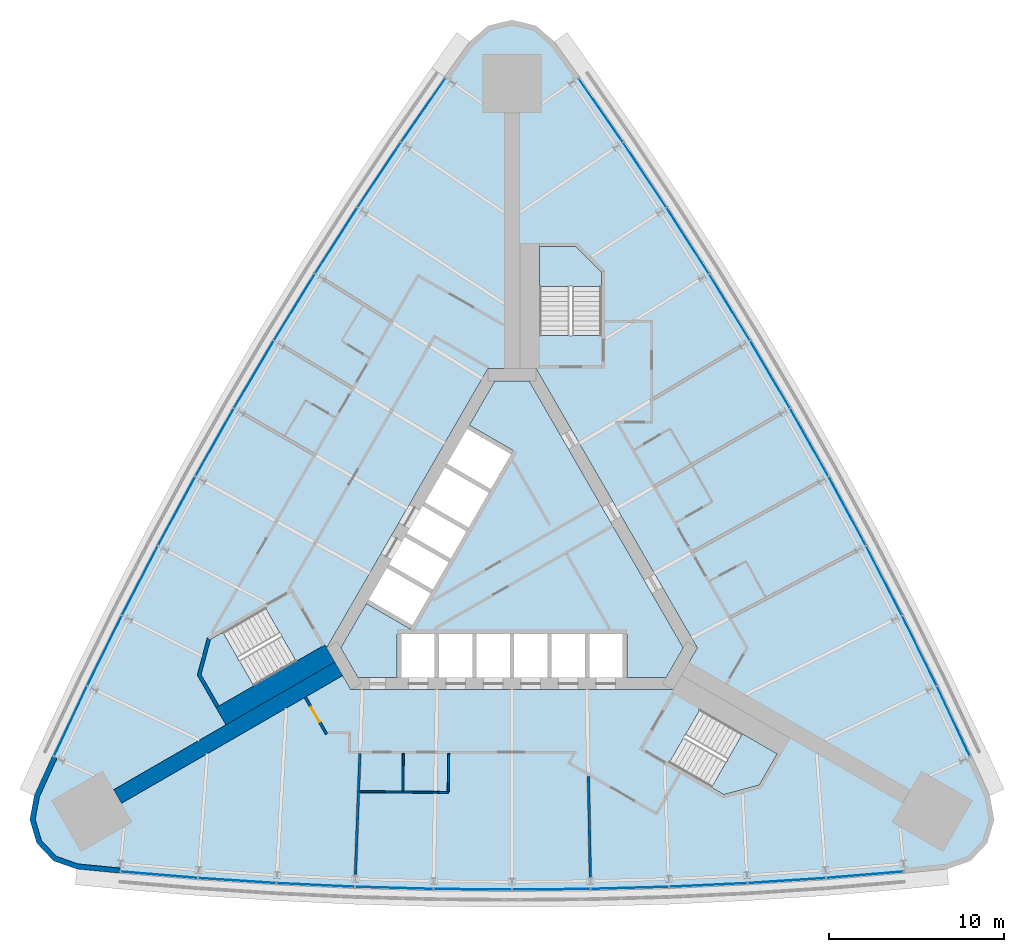
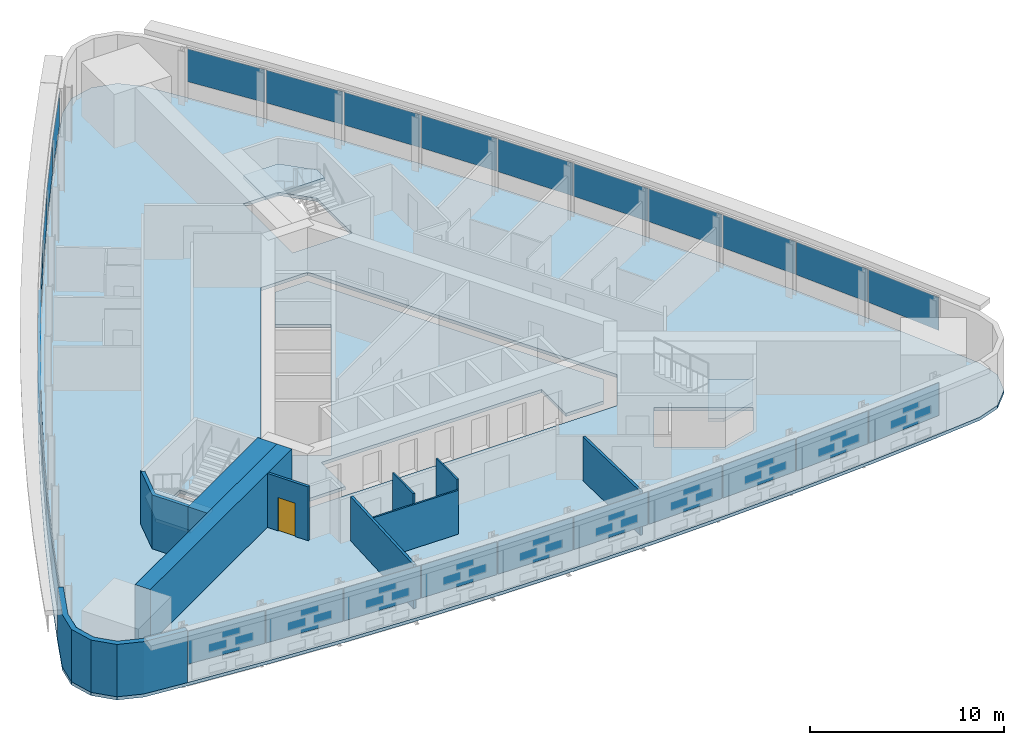
# One storey, part 9 of 15: 30 plates, 10 walls, 5 slabs, 1 door, 1 opening, 6 elements without a shape of their own.
"""IFC4 building model written with IfcOpenShell, lengths in metres."""

from ifc_helpers import new_model, si_unit, direction, frame, frame_2d, origin, origin_2d, place, context, subcontext, project, spatial, polyline, rectangle, outline, extrude, material, layer, layer_set, type_object, element, fill, aggregate, save


model = new_model("IFC4")

# Units and contexts
model_context = context("Model", 3, precision=1e-05, world=origin(), true_north=direction((0.0, 1.0)))
body_context = subcontext(model_context, "Body", "Model", "MODEL_VIEW")
ifc_project = project(units=[si_unit("LENGTHUNIT", "METRE"), si_unit("AREAUNIT", "SQUARE_METRE"), si_unit("VOLUMEUNIT", "CUBIC_METRE"), si_unit("PLANEANGLEUNIT", "RADIAN"), si_unit("MASSUNIT", "GRAM", prefix="KILO")], contexts=[model_context])

# Site, building, storey
site_placement = place(None, origin())
site = spatial("IfcSite", under=ifc_project, at=site_placement, CompositionType="ELEMENT")
building_placement = place(site_placement, origin())
building = spatial("IfcBuilding", under=site, at=building_placement, Name="Noor Cloister Tower", CompositionType="ELEMENT")
storey_placement = place(building_placement, frame((0.0, 0.0, 31.199951171875)))
storey = spatial("IfcBuildingStorey", under=building, at=storey_placement, Name="L07", CompositionType="ELEMENT", Elevation=31.199951171875)

# Slabs
ifc_material_1 = material(Name="Concrete C40/50", Category="concrete")
ifc_layer_1 = layer(ifc_material_1, 0.199951171875)
ifc_layer_set_1 = layer_set([ifc_layer_1], Name="Core floor slab 200 C40/50")
slab_type_1 = type_object("IfcSlabType", Name="Core floor slab 200 C40/50", PredefinedType="FLOOR", material=ifc_layer_set_1)
slab_1_placement = place(storey_placement, frame((0.0, 0.0, -0.199951171875)))
element("IfcSlab", 1, at=slab_1_placement, inside=storey, type_object=slab_type_1, Name="Core floor L07", PredefinedType="FLOOR", context=body_context, shape_type="SweptSolid", body=[
    extrude(outline(polyline([(-6.574951171875, -6.228271484375), (-6.574951171875, -3.728271484375), (6.574951171875, -3.728271484375), (6.574951171875, -6.228271484375), (8.82470703125, -6.228271484375), (9.80615234375, -4.5283203125), (0.9814453125, 10.75634765625), (-0.9814453125, 10.75634765625), (-2.44384765625, 8.2236328125), (0.067626953125, 6.773681640625), (-5.832275390625, -3.4453125), (-8.34375, -1.995361328125), (-9.80615234375, -4.5283203125), (-8.82470703125, -6.228271484375), (-6.574951171875, -6.228271484375)])), origin(), (0.0, 0.0, 1.0), 0.199951171875),
])
ifc_material_2 = material(Name="Concrete C40/50", Category="concrete")
ifc_layer_2 = layer(ifc_material_2, 0.199951171875)
ifc_layer_set_2 = layer_set([ifc_layer_2], Name="Floor slab 200 C40/50")
slab_type_2 = type_object("IfcSlabType", Name="Floor slab 200 C40/50", PredefinedType="FLOOR", material=ifc_layer_set_2)
slab_2_placement = place(storey_placement, frame((0.0, 0.0, -0.199951171875)))
element("IfcSlab", 2, at=slab_2_placement, inside=storey, type_object=slab_type_2, Name="Floor slab L07", PredefinedType="FLOOR", context=body_context, shape_type="SweptSolid", body=[
    extrude(outline(polyline([(2.43017578125, 30.188232421875), (1.3642578125, 31.100830078125), (0.0, 31.428955078125), (-1.3642578125, 31.100830078125), (-2.43017578125, 30.188232421875), (-3.869873046875, 28.177734375), (-6.43701171875, 24.48193359375), (-8.93505859375, 20.739013671875), (-11.36328125, 16.950439453125), (-13.720947265625, 13.11767578125), (-16.0068359375, 9.24169921875), (-18.220703125, 5.32373046875), (-20.361328125, 1.36572265625), (-22.42822265625, -2.631591796875), (-24.42041015625, -6.66650390625), (-26.337646484375, -10.737548828125), (-27.35888671875, -12.989501953125), (-27.6162109375, -14.368896484375), (-27.21826171875, -15.714599609375), (-26.251953125, -16.73193359375), (-24.9287109375, -17.19873046875), (-22.4677734375, -17.440185546875), (-17.9833984375, -17.8154296875), (-13.492919921875, -18.107421875), (-8.998046875, -18.316162109375), (-4.499755859375, -18.44140625), (0.0, -18.483154296875), (4.499755859375, -18.44140625), (8.998046875, -18.316162109375), (13.492919921875, -18.107421875), (17.9833984375, -17.8154296875), (22.4677734375, -17.440185546875), (24.9287109375, -17.19873046875), (26.251953125, -16.73193359375), (27.21826171875, -15.714599609375), (27.6162109375, -14.368896484375), (27.35888671875, -12.989501953125), (26.337646484375, -10.737548828125), (24.42041015625, -6.66650390625), (22.42822265625, -2.631591796875), (20.361328125, 1.36572265625), (18.220703125, 5.32373046875), (16.0068359375, 9.24169921875), (13.720947265625, 13.11767578125), (11.36328125, 16.950439453125), (8.93505859375, 20.739013671875), (6.43701171875, 24.48193359375), (3.869873046875, 28.177734375), (2.43017578125, 30.188232421875)]), holes=[polyline([(8.999755859375, -11.126220703125), (12.131591796875, -12.934326171875), (14.1572265625, -12.3916015625), (15.19091796875, -10.601318359375), (10.774658203125, -8.0517578125), (8.999755859375, -11.126220703125)]), polyline([(-17.81005859375, -6.064697265625), (-16.776611328125, -7.85498046875), (-12.3603515625, -5.305419921875), (-14.13525390625, -2.23095703125), (-16.662841796875, -3.690185546875), (-17.267333984375, -4.039306640625), (-17.81005859375, -6.064697265625)]), polyline([(-10.6142578125, -4.5283203125), (-9.228759765625, -6.92822265625), (9.228759765625, -6.92822265625), (10.6142578125, -4.5283203125), (1.3857421875, 11.456298828125), (-1.3857421875, 11.456298828125), (-10.6142578125, -4.5283203125)]), polyline([(3.65283203125, 18.456298828125), (1.585693359375, 18.456298828125), (1.585693359375, 13.35693359375), (5.135498046875, 13.35693359375), (5.135498046875, 16.9736328125), (3.65283203125, 18.456298828125)])]), origin(), (0.0, 0.0, 1.0), 0.199951171875),
])

# Curtain wall, plates
ifc_material_3 = material(Name="Aluminium 6063-T6 anodised", Category="aluminium")
curtain_wall_type = type_object("IfcCurtainWallType", Name="Ribbon curtain wall, lower tower CW1", PredefinedType="NOTDEFINED", material=ifc_material_3)
curtain_wall_1_placement = place(storey_placement, origin())
curtain_wall_1 = element("IfcCurtainWall", 3, at=curtain_wall_1_placement, inside=storey, type_object=curtain_wall_type, Name="CW1 L07 NW run 1", PredefinedType="NOTDEFINED")
ifc_material_4 = material(Name="Clear laminated glass 2 x 8 mm", Category="glass")
ifc_layer_3 = layer(ifc_material_4, 0.028076171875)
ifc_layer_set_3 = layer_set([ifc_layer_3], Name="Glass panel CW1")
plate_type = type_object("IfcPlateType", Name="Glass panel CW1", PredefinedType="CURTAIN_PANEL", material=ifc_layer_set_3)
plate_1_placement = place(storey_placement, frame((-5.08251953125, 26.2568359375, 1.08984375), z_axis=(0.0, 0.0, 1.0), x_axis=(-0.570480940369, -0.821310840472, 0.0)))
plate_1 = element("IfcPlate", 4, at=plate_1_placement, type_object=plate_type, Name="CW1 glass panel 1", PredefinedType="CURTAIN_PANEL", context=body_context, shape_type="SweptSolid", body=[
    extrude(rectangle(XDim=4.39892578125, YDim=0.028076171875, at=origin_2d()), origin(), (0.0, 0.0, 1.0), 2.070068359375),
])
plate_2_placement = place(storey_placement, frame((-7.602783203125, 22.554931640625, 1.08984375), z_axis=(0.0, 0.0, 1.0), x_axis=(-0.555145107409, -0.831753515003, 0.0)))
plate_2 = element("IfcPlate", 5, at=plate_2_placement, type_object=plate_type, Name="CW1 glass panel 2", PredefinedType="CURTAIN_PANEL", context=body_context, shape_type="SweptSolid", body=[
    extrude(rectangle(XDim=4.43798828125, YDim=0.028076171875, at=origin_2d()), origin(), (0.0, 0.0, 1.0), 2.070068359375),
])
plate_3_placement = place(storey_placement, frame((-10.06494140625, 18.790771484375, 1.08984375), z_axis=(0.0, 0.0, 1.0), x_axis=(-0.539618172839, -0.841909869013, 0.0)))
plate_3 = element("IfcPlate", 6, at=plate_3_placement, type_object=plate_type, Name="CW1 glass panel 3", PredefinedType="CURTAIN_PANEL", context=body_context, shape_type="SweptSolid", body=[
    extrude(rectangle(XDim=4.43798828125, YDim=0.028076171875, at=origin_2d()), origin(), (0.0, 0.0, 1.0), 2.070068359375),
])
plate_4_placement = place(storey_placement, frame((-12.45703125, 14.981689453125, 1.08984375), z_axis=(0.0, 0.0, 1.0), x_axis=(-0.523905481608, -0.851776406307, 0.0)))
plate_4 = element("IfcPlate", 7, at=plate_4_placement, type_object=plate_type, Name="CW1 glass panel 4", PredefinedType="CURTAIN_PANEL", context=body_context, shape_type="SweptSolid", body=[
    extrude(rectangle(XDim=4.43798828125, YDim=0.028076171875, at=origin_2d()), origin(), (0.0, 0.0, 1.0), 2.070068359375),
])
plate_5_placement = place(storey_placement, frame((-14.77783203125, 11.12890625, 1.08984375), z_axis=(0.0, 0.0, 1.0), x_axis=(-0.508012442607, -0.861349730456, 0.0)))
plate_5 = element("IfcPlate", 8, at=plate_5_placement, type_object=plate_type, Name="CW1 glass panel 5", PredefinedType="CURTAIN_PANEL", context=body_context, shape_type="SweptSolid", body=[
    extrude(rectangle(XDim=4.43798828125, YDim=0.028076171875, at=origin_2d()), origin(), (0.0, 0.0, 1.0), 2.070068359375),
])
plate_6_placement = place(storey_placement, frame((-17.026611328125, 7.2333984375, 1.08984375), z_axis=(0.0, 0.0, 1.0), x_axis=(-0.491944526814, -0.870626545964, 0.0)))
plate_6 = element("IfcPlate", 9, at=plate_6_placement, type_object=plate_type, Name="CW1 glass panel 6", PredefinedType="CURTAIN_PANEL", context=body_context, shape_type="SweptSolid", body=[
    extrude(rectangle(XDim=4.43798828125, YDim=0.028076171875, at=origin_2d()), origin(), (0.0, 0.0, 1.0), 2.070068359375),
])
plate_7_placement = place(storey_placement, frame((-19.202880859375, 3.297119140625, 1.08984375), z_axis=(0.0, 0.0, 1.0), x_axis=(-0.475707265402, -0.879603659408, 0.0)))
plate_7 = element("IfcPlate", 10, at=plate_7_placement, type_object=plate_type, Name="CW1 glass panel 7", PredefinedType="CURTAIN_PANEL", context=body_context, shape_type="SweptSolid", body=[
    extrude(rectangle(XDim=4.43798828125, YDim=0.028076171875, at=origin_2d()), origin(), (0.0, 0.0, 1.0), 2.070068359375),
])
plate_8_placement = place(storey_placement, frame((-21.305908203125, -0.678955078125, 1.08984375), z_axis=(0.0, 0.0, 1.0), x_axis=(-0.459306247842, -0.888277980529, 0.0)))
plate_8 = element("IfcPlate", 11, at=plate_8_placement, type_object=plate_type, Name="CW1 glass panel 8", PredefinedType="CURTAIN_PANEL", context=body_context, shape_type="SweptSolid", body=[
    extrude(rectangle(XDim=4.43798828125, YDim=0.028076171875, at=origin_2d()), origin(), (0.0, 0.0, 1.0), 2.070068359375),
])
plate_9_placement = place(storey_placement, frame((-23.334716796875, -4.693359375, 1.08984375), z_axis=(0.0, 0.0, 1.0), x_axis=(-0.442747119975, -0.896646523305, 0.0)))
plate_9 = element("IfcPlate", 12, at=plate_9_placement, type_object=plate_type, Name="CW1 glass panel 9", PredefinedType="CURTAIN_PANEL", context=body_context, shape_type="SweptSolid", body=[
    extrude(rectangle(XDim=4.43798828125, YDim=0.028076171875, at=origin_2d()), origin(), (0.0, 0.0, 1.0), 2.070068359375),
])
plate_10_placement = place(storey_placement, frame((-25.2802734375, -8.726806640625, 1.08984375), z_axis=(0.0, 0.0, 1.0), x_axis=(-0.426035582068, -0.90470640697, 0.0)))
plate_10 = element("IfcPlate", 13, at=plate_10_placement, type_object=plate_type, Name="CW1 glass panel 10", PredefinedType="CURTAIN_PANEL", context=body_context, shape_type="SweptSolid", body=[
    extrude(rectangle(XDim=4.39892578125, YDim=0.028076171875, at=origin_2d()), origin(), (0.0, 0.0, 1.0), 2.070068359375),
])
aggregate(curtain_wall_1, [plate_1, plate_2, plate_3, plate_4, plate_5, plate_6, plate_7, plate_8, plate_9, plate_10])

curtain_wall_2_placement = place(storey_placement, origin())
curtain_wall_2 = element("IfcCurtainWall", 14, at=curtain_wall_2_placement, inside=storey, type_object=curtain_wall_type, Name="CW1 L07 S run 2", PredefinedType="NOTDEFINED")
plate_11_placement = place(storey_placement, frame((-20.19775390625, -17.52978515625, 1.08984375), z_axis=(0.0, 0.0, 1.0), x_axis=(0.996516522436, -0.083395566498, 0.0)))
plate_11 = element("IfcPlate", 15, at=plate_11_placement, type_object=plate_type, Name="CW1 glass panel 1", PredefinedType="CURTAIN_PANEL", context=body_context, shape_type="SweptSolid", body=[
    extrude(rectangle(XDim=4.39892578125, YDim=0.028076171875, at=origin_2d()), origin(), (0.0, 0.0, 1.0), 2.070068359375),
])
plate_12_placement = place(storey_placement, frame((-15.731689453125, -17.86181640625, 1.08984375), z_axis=(0.0, 0.0, 1.0), x_axis=(0.997892227384, -0.064893008302, 0.0)))
plate_12 = element("IfcPlate", 16, at=plate_12_placement, type_object=plate_type, Name="CW1 glass panel 2", PredefinedType="CURTAIN_PANEL", context=body_context, shape_type="SweptSolid", body=[
    extrude(rectangle(XDim=4.43798828125, YDim=0.028076171875, at=origin_2d()), origin(), (0.0, 0.0, 1.0), 2.070068359375),
])
plate_13_placement = place(storey_placement, frame((-11.240966796875, -18.112060546875, 1.08984375), z_axis=(0.0, 0.0, 1.0), x_axis=(0.998924420682, -0.046368111516, 0.0)))
plate_13 = element("IfcPlate", 17, at=plate_13_placement, type_object=plate_type, Name="CW1 glass panel 3", PredefinedType="CURTAIN_PANEL", context=body_context, shape_type="SweptSolid", body=[
    extrude(rectangle(XDim=4.43798828125, YDim=0.028076171875, at=origin_2d()), origin(), (0.0, 0.0, 1.0), 2.070068359375),
])
plate_14_placement = place(storey_placement, frame((-6.74609375, -18.27880859375, 1.08984375), z_axis=(0.0, 0.0, 1.0), x_axis=(0.99961274701, -0.027827253101, 0.0)))
plate_14 = element("IfcPlate", 18, at=plate_14_placement, type_object=plate_type, Name="CW1 glass panel 4", PredefinedType="CURTAIN_PANEL", context=body_context, shape_type="SweptSolid", body=[
    extrude(rectangle(XDim=4.43798828125, YDim=0.028076171875, at=origin_2d()), origin(), (0.0, 0.0, 1.0), 2.070068359375),
])
plate_15_placement = place(storey_placement, frame((-2.2490234375, -18.3623046875, 1.08984375), z_axis=(0.0, 0.0, 1.0), x_axis=(0.999956969421, -0.009276815509, 0.0)))
plate_15 = element("IfcPlate", 19, at=plate_15_placement, type_object=plate_type, Name="CW1 glass panel 5", PredefinedType="CURTAIN_PANEL", context=body_context, shape_type="SweptSolid", body=[
    extrude(rectangle(XDim=4.43798828125, YDim=0.028076171875, at=origin_2d()), origin(), (0.0, 0.0, 1.0), 2.070068359375),
])
plate_16_placement = place(storey_placement, frame((2.2490234375, -18.3623046875, 1.08984375), z_axis=(0.0, 0.0, 1.0), x_axis=(0.999956969421, 0.009276815509, 0.0)))
plate_16 = element("IfcPlate", 20, at=plate_16_placement, type_object=plate_type, Name="CW1 glass panel 6", PredefinedType="CURTAIN_PANEL", context=body_context, shape_type="SweptSolid", body=[
    extrude(rectangle(XDim=4.43798828125, YDim=0.028076171875, at=origin_2d()), origin(), (0.0, 0.0, 1.0), 2.070068359375),
])
plate_17_placement = place(storey_placement, frame((6.74609375, -18.27880859375, 1.08984375), z_axis=(0.0, 0.0, 1.0), x_axis=(0.99961274701, 0.027827253101, 0.0)))
plate_17 = element("IfcPlate", 21, at=plate_17_placement, type_object=plate_type, Name="CW1 glass panel 7", PredefinedType="CURTAIN_PANEL", context=body_context, shape_type="SweptSolid", body=[
    extrude(rectangle(XDim=4.43798828125, YDim=0.028076171875, at=origin_2d()), origin(), (0.0, 0.0, 1.0), 2.070068359375),
])
plate_18_placement = place(storey_placement, frame((11.240966796875, -18.112060546875, 1.08984375), z_axis=(0.0, 0.0, 1.0), x_axis=(0.998924420682, 0.046368111516, 0.0)))
plate_18 = element("IfcPlate", 22, at=plate_18_placement, type_object=plate_type, Name="CW1 glass panel 8", PredefinedType="CURTAIN_PANEL", context=body_context, shape_type="SweptSolid", body=[
    extrude(rectangle(XDim=4.43798828125, YDim=0.028076171875, at=origin_2d()), origin(), (0.0, 0.0, 1.0), 2.070068359375),
])
plate_19_placement = place(storey_placement, frame((15.731689453125, -17.86181640625, 1.08984375), z_axis=(0.0, 0.0, 1.0), x_axis=(0.997892227384, 0.064893008302, 0.0)))
plate_19 = element("IfcPlate", 23, at=plate_19_placement, type_object=plate_type, Name="CW1 glass panel 9", PredefinedType="CURTAIN_PANEL", context=body_context, shape_type="SweptSolid", body=[
    extrude(rectangle(XDim=4.43798828125, YDim=0.028076171875, at=origin_2d()), origin(), (0.0, 0.0, 1.0), 2.070068359375),
])
plate_20_placement = place(storey_placement, frame((20.19775390625, -17.52978515625, 1.08984375), z_axis=(0.0, 0.0, 1.0), x_axis=(0.996516522436, 0.083395566498, 0.0)))
plate_20 = element("IfcPlate", 24, at=plate_20_placement, type_object=plate_type, Name="CW1 glass panel 10", PredefinedType="CURTAIN_PANEL", context=body_context, shape_type="SweptSolid", body=[
    extrude(rectangle(XDim=4.39892578125, YDim=0.028076171875, at=origin_2d()), origin(), (0.0, 0.0, 1.0), 2.070068359375),
])
aggregate(curtain_wall_2, [plate_11, plate_12, plate_13, plate_14, plate_15, plate_16, plate_17, plate_18, plate_19, plate_20])

curtain_wall_3_placement = place(storey_placement, origin())
curtain_wall_3 = element("IfcCurtainWall", 25, at=curtain_wall_3_placement, inside=storey, type_object=curtain_wall_type, Name="CW1 L07 NE run 3", PredefinedType="NOTDEFINED")
plate_21_placement = place(storey_placement, frame((25.2802734375, -8.726806640625, 1.08984375), z_axis=(0.0, 0.0, 1.0), x_axis=(-0.426035582068, 0.90470640697, 0.0)))
plate_21 = element("IfcPlate", 26, at=plate_21_placement, type_object=plate_type, Name="CW1 glass panel 1", PredefinedType="CURTAIN_PANEL", context=body_context, shape_type="SweptSolid", body=[
    extrude(rectangle(XDim=4.39892578125, YDim=0.028076171875, at=origin_2d()), origin(), (0.0, 0.0, 1.0), 2.070068359375),
])
plate_22_placement = place(storey_placement, frame((23.334716796875, -4.693359375, 1.08984375), z_axis=(0.0, 0.0, 1.0), x_axis=(-0.442747119975, 0.896646523305, 0.0)))
plate_22 = element("IfcPlate", 27, at=plate_22_placement, type_object=plate_type, Name="CW1 glass panel 2", PredefinedType="CURTAIN_PANEL", context=body_context, shape_type="SweptSolid", body=[
    extrude(rectangle(XDim=4.43798828125, YDim=0.028076171875, at=origin_2d()), origin(), (0.0, 0.0, 1.0), 2.070068359375),
])
plate_23_placement = place(storey_placement, frame((21.305908203125, -0.678955078125, 1.08984375), z_axis=(0.0, 0.0, 1.0), x_axis=(-0.459306247842, 0.888277980529, 0.0)))
plate_23 = element("IfcPlate", 28, at=plate_23_placement, type_object=plate_type, Name="CW1 glass panel 3", PredefinedType="CURTAIN_PANEL", context=body_context, shape_type="SweptSolid", body=[
    extrude(rectangle(XDim=4.43798828125, YDim=0.028076171875, at=origin_2d()), origin(), (0.0, 0.0, 1.0), 2.070068359375),
])
plate_24_placement = place(storey_placement, frame((19.202880859375, 3.297119140625, 1.08984375), z_axis=(0.0, 0.0, 1.0), x_axis=(-0.475707265402, 0.879603659408, 0.0)))
plate_24 = element("IfcPlate", 29, at=plate_24_placement, type_object=plate_type, Name="CW1 glass panel 4", PredefinedType="CURTAIN_PANEL", context=body_context, shape_type="SweptSolid", body=[
    extrude(rectangle(XDim=4.43798828125, YDim=0.028076171875, at=origin_2d()), origin(), (0.0, 0.0, 1.0), 2.070068359375),
])
plate_25_placement = place(storey_placement, frame((17.026611328125, 7.2333984375, 1.08984375), z_axis=(0.0, 0.0, 1.0), x_axis=(-0.491944526814, 0.870626545964, 0.0)))
plate_25 = element("IfcPlate", 30, at=plate_25_placement, type_object=plate_type, Name="CW1 glass panel 5", PredefinedType="CURTAIN_PANEL", context=body_context, shape_type="SweptSolid", body=[
    extrude(rectangle(XDim=4.43798828125, YDim=0.028076171875, at=origin_2d()), origin(), (0.0, 0.0, 1.0), 2.070068359375),
])
plate_26_placement = place(storey_placement, frame((14.77783203125, 11.12890625, 1.08984375), z_axis=(0.0, 0.0, 1.0), x_axis=(-0.508012442607, 0.861349730456, 0.0)))
plate_26 = element("IfcPlate", 31, at=plate_26_placement, type_object=plate_type, Name="CW1 glass panel 6", PredefinedType="CURTAIN_PANEL", context=body_context, shape_type="SweptSolid", body=[
    extrude(rectangle(XDim=4.43798828125, YDim=0.028076171875, at=origin_2d()), origin(), (0.0, 0.0, 1.0), 2.070068359375),
])
plate_27_placement = place(storey_placement, frame((12.45703125, 14.981689453125, 1.08984375), z_axis=(0.0, 0.0, 1.0), x_axis=(-0.523905481608, 0.851776406307, 0.0)))
plate_27 = element("IfcPlate", 32, at=plate_27_placement, type_object=plate_type, Name="CW1 glass panel 7", PredefinedType="CURTAIN_PANEL", context=body_context, shape_type="SweptSolid", body=[
    extrude(rectangle(XDim=4.43798828125, YDim=0.028076171875, at=origin_2d()), origin(), (0.0, 0.0, 1.0), 2.070068359375),
])
plate_28_placement = place(storey_placement, frame((10.06494140625, 18.790771484375, 1.08984375), z_axis=(0.0, 0.0, 1.0), x_axis=(-0.539618172839, 0.841909869013, 0.0)))
plate_28 = element("IfcPlate", 33, at=plate_28_placement, type_object=plate_type, Name="CW1 glass panel 8", PredefinedType="CURTAIN_PANEL", context=body_context, shape_type="SweptSolid", body=[
    extrude(rectangle(XDim=4.43798828125, YDim=0.028076171875, at=origin_2d()), origin(), (0.0, 0.0, 1.0), 2.070068359375),
])
plate_29_placement = place(storey_placement, frame((7.602783203125, 22.554931640625, 1.08984375), z_axis=(0.0, 0.0, 1.0), x_axis=(-0.555145107409, 0.831753515003, 0.0)))
plate_29 = element("IfcPlate", 34, at=plate_29_placement, type_object=plate_type, Name="CW1 glass panel 9", PredefinedType="CURTAIN_PANEL", context=body_context, shape_type="SweptSolid", body=[
    extrude(rectangle(XDim=4.43798828125, YDim=0.028076171875, at=origin_2d()), origin(), (0.0, 0.0, 1.0), 2.070068359375),
])
plate_30_placement = place(storey_placement, frame((5.08251953125, 26.2568359375, 1.08984375), z_axis=(0.0, 0.0, 1.0), x_axis=(-0.570480940369, 0.821310840472, 0.0)))
plate_30 = element("IfcPlate", 35, at=plate_30_placement, type_object=plate_type, Name="CW1 glass panel 10", PredefinedType="CURTAIN_PANEL", context=body_context, shape_type="SweptSolid", body=[
    extrude(rectangle(XDim=4.39892578125, YDim=0.028076171875, at=origin_2d()), origin(), (0.0, 0.0, 1.0), 2.070068359375),
])
aggregate(curtain_wall_3, [plate_21, plate_22, plate_23, plate_24, plate_25, plate_26, plate_27, plate_28, plate_29, plate_30])

# Stair, slab
ifc_material_5 = material(Name="Concrete C40/50", Category="concrete")
stair_type = type_object("IfcStairType", Name="Exit stair 22 risers", PredefinedType="HALF_TURN_STAIR", material=ifc_material_5)
stair_1_placement = place(storey_placement, origin())
stair_1 = element("IfcStair", 36, at=stair_1_placement, inside=storey, type_object=stair_type, Name="Exit stair ST1 L07", PredefinedType="HALF_TURN_STAIR")
ifc_material_6 = material(Name="Concrete C40/50", Category="concrete")
ifc_layer_4 = layer(ifc_material_6, 0.199951171875)
ifc_layer_set_4 = layer_set([ifc_layer_4], Name="Stair landing 200 C40/50")
slab_type_3 = type_object("IfcSlabType", Name="Stair landing 200 C40/50", PredefinedType="LANDING", material=ifc_layer_set_4)
slab_3_placement = place(storey_placement, frame((0.0, 0.0, 1.60009765625)))
slab_3 = element("IfcSlab", 37, at=slab_3_placement, type_object=slab_type_3, Name="ST1 landing 1", PredefinedType="LANDING", context=body_context, shape_type="SweptSolid", body=[
    extrude(outline(polyline([(5.135498046875, 16.15576171875), (5.135498046875, 16.9736328125), (3.65283203125, 18.456298828125), (1.585693359375, 18.456298828125), (1.585693359375, 16.15576171875), (5.135498046875, 16.15576171875)])), origin(), (0.0, 0.0, 1.0), 0.199951171875),
])
aggregate(stair_1, [slab_3])

stair_2_placement = place(storey_placement, origin())
stair_2 = element("IfcStair", 38, at=stair_2_placement, inside=storey, type_object=stair_type, Name="Exit stair ST2 L07", PredefinedType="HALF_TURN_STAIR")
slab_4_placement = place(storey_placement, frame((0.0, 0.0, 1.60009765625)))
slab_4 = element("IfcSlab", 39, at=slab_4_placement, type_object=slab_type_3, Name="ST2 landing 1", PredefinedType="LANDING", context=body_context, shape_type="SweptSolid", body=[
    extrude(outline(polyline([(-16.55908203125, -3.63037109375), (-17.267333984375, -4.039306640625), (-17.81005859375, -6.064697265625), (-16.776611328125, -7.85498046875), (-14.7841796875, -6.70458984375), (-16.55908203125, -3.63037109375)])), origin(), (0.0, 0.0, 1.0), 0.199951171875),
])
aggregate(stair_2, [slab_4])

stair_3_placement = place(storey_placement, origin())
stair_3 = element("IfcStair", 40, at=stair_3_placement, inside=storey, type_object=stair_type, Name="Exit stair ST3 L07", PredefinedType="HALF_TURN_STAIR")
slab_5_placement = place(storey_placement, frame((0.0, 0.0, 1.60009765625)))
slab_5 = element("IfcSlab", 41, at=slab_5_placement, type_object=slab_type_3, Name="ST3 landing 1", PredefinedType="LANDING", context=body_context, shape_type="SweptSolid", body=[
    extrude(outline(polyline([(11.423583984375, -12.525390625), (12.131591796875, -12.934326171875), (14.1572265625, -12.3916015625), (15.19091796875, -10.601318359375), (13.198486328125, -9.451171875), (11.423583984375, -12.525390625)])), origin(), (0.0, 0.0, 1.0), 0.199951171875),
])
aggregate(stair_3, [slab_5])

# Wall
ifc_material_7 = material(Name="Concrete C80/95", Category="concrete")
ifc_layer_5 = layer(ifc_material_7, 0.89990234375)
ifc_layer_set_5 = layer_set([ifc_layer_5], Name="Buttress wall 900 C80/95")
wall_type_1 = type_object("IfcWallType", Name="Buttress wall 900 C80/95", PredefinedType="SHEAR", material=ifc_layer_set_5)
wall_1_placement = place(storey_placement, frame((-9.921630859375, -5.728271484375, -0.199951171875), z_axis=(0.0, 0.0, 1.0), x_axis=(-0.866028046028, -0.499995423472, 0.0)))
element("IfcWall", 42, at=wall_1_placement, inside=storey, type_object=wall_type_1, Name="Buttress wall SW L07", PredefinedType="SHEAR", context=body_context, shape_type="SweptSolid", body=[
    extrude(rectangle(XDim=14.632568359375, YDim=0.89990234375, at=frame_2d((7.31640625, 0.0))), origin(), (0.0, 0.0, 1.0), 3.60009765625),
])

# Wall, opening, door
ifc_material_8 = material(Name="Gypsum board partition on steel studs, 150 mm", Category="steel")
ifc_layer_6 = layer(ifc_material_8, 0.14990234375)
ifc_layer_set_6 = layer_set([ifc_layer_6], Name="Flat wall 150")
wall_type_2 = type_object("IfcWallType", Name="Flat wall 150", PredefinedType="PARTITIONING", material=ifc_layer_set_6)
wall_2_placement = place(storey_placement, frame((-10.6201171875, -9.46826171875, 0.0), z_axis=(0.0, 0.0, 1.0), x_axis=(-0.500045838785, 0.865998937132, 0.0)))
wall_2 = element("IfcWall", 43, at=wall_2_placement, inside=storey, type_object=wall_type_2, Name="Flat wall 150 L07 011", PredefinedType="PARTITIONING", context=body_context, shape_type="SweptSolid", body=[
    extrude(rectangle(XDim=2.439697265625, YDim=0.14990234375, at=frame_2d((1.2197265625, 0.0))), origin(), (0.0, 0.0, 1.0), 3.400146484375),
])
opening_placement = place(wall_2_placement, frame((0.794921875, 0.0, 0.0)))
opening = element("IfcOpeningElement", 44, at=opening_placement, cuts=wall_2, Name="Opening L07-013", PredefinedType="OPENING", context=body_context, shape_type="SweptSolid", body=[
    extrude(rectangle(XDim=1.0, YDim=2.10009765625, at=frame_2d((0.5, 1.050048828125))), frame((0.0, 0.0849609375, 0.0), z_axis=(0.0, -1.0, 0.0), x_axis=(1.0, 0.0, 0.0)), (0.0, 0.0, 1.0), 0.169921875),
])
ifc_material_9 = material(Name="Timber door leaf with steel frame", Category="steel")
door_type = type_object("IfcDoorType", Name="Interior door 1000 FD60", OperationType="NOTDEFINED", PredefinedType="DOOR", material=ifc_material_9)
door_placement = place(opening_placement, origin())
door = element("IfcDoor", 45, at=door_placement, inside=storey, type_object=door_type, Name="Interior door 1000 L07-013", OperationType="SINGLE_SWING_RIGHT", OverallHeight=2.10009765625, OverallWidth=1.0, PredefinedType="DOOR", context=body_context, shape_type="SweptSolid", body=[
    extrude(rectangle(XDim=1.0, YDim=2.10009765625, at=frame_2d((0.5, 1.050048828125))), frame((0.0, 0.02490234375, 0.0), z_axis=(0.0, -1.0, 0.0), x_axis=(1.0, 0.0, 0.0)), (0.0, 0.0, 1.0), 0.050048828125),
])
fill(opening, door)

# Walls
wall_3_placement = place(storey_placement, frame((-8.96826171875, -17.5166015625, 0.0), z_axis=(0.0, 0.0, 1.0), x_axis=(0.037111842783, 0.999311118284, 0.0)))
element("IfcWall", 46, at=wall_3_placement, inside=storey, type_object=wall_type_2, Name="Flat wall 150 L07 020", PredefinedType="PARTITIONING", context=body_context, shape_type="SweptSolid", body=[
    extrude(rectangle(XDim=6.9404296875, YDim=0.14990234375, at=frame_2d((3.47021484375, 0.0))), origin(), (0.0, 0.0, 1.0), 2.778076171875),
])
wall_4_placement = place(storey_placement, frame((4.48486328125, -17.6416015625, 0.0), z_axis=(0.0, 0.0, 1.0), x_axis=(-0.018565794352, 0.999827640786, 0.0)))
element("IfcWall", 47, at=wall_4_placement, inside=storey, type_object=wall_type_2, Name="Flat wall 150 L07 021", PredefinedType="PARTITIONING", context=body_context, shape_type="SweptSolid", body=[
    extrude(rectangle(XDim=5.7333984375, YDim=0.14990234375, at=frame_2d((2.86669921875, 0.0))), origin(), (0.0, 0.0, 1.0), 2.76806640625),
])
ifc_material_10 = material(Name="Limestone", Category="masonry")
ifc_layer_7 = layer(ifc_material_10, 0.300048828125)
ifc_layer_set_7 = layer_set([ifc_layer_7], Name="Limestone cladding 300")
wall_type_3 = type_object("IfcWallType", Name="Limestone cladding 300", PredefinedType="NOTDEFINED", material=ifc_layer_set_7)
wall_5_placement = place(storey_placement, origin())
element("IfcWall", 48, at=wall_5_placement, inside=storey, type_object=wall_type_3, Name="Limestone pier cladding L07 1.1", PredefinedType="NOTDEFINED", context=body_context, shape_type="SweptSolid", body=[
    extrude(outline(polyline([(-26.337646484375, -10.737548828125), (-27.35888671875, -12.989501953125), (-27.6162109375, -14.368896484375), (-27.21826171875, -15.714599609375), (-26.251953125, -16.73193359375), (-24.9287109375, -17.19873046875), (-22.4677734375, -17.440185546875), (-22.4384765625, -17.1416015625), (-24.863037109375, -16.903564453125), (-26.084228515625, -16.47314453125), (-26.951171875, -15.560302734375), (-27.30810546875, -14.35302734375), (-27.070556640625, -13.080322265625), (-26.064453125, -10.861328125), (-26.337646484375, -10.737548828125)])), origin(), (0.0, 0.0, 1.0), 3.300048828125),
])
ifc_material_11 = material(Name="Gypsum board partition on steel studs, 100 mm", Category="steel")
ifc_layer_8 = layer(ifc_material_11, 0.10009765625)
ifc_layer_set_8 = layer_set([ifc_layer_8], Name="Partition 100")
wall_type_4 = type_object("IfcWallType", Name="Partition 100", PredefinedType="PARTITIONING", material=ifc_layer_set_8)
wall_6_placement = place(storey_placement, frame((-8.71533203125, -12.76513671875, 0.0), z_axis=(0.0, 0.0, 1.0), x_axis=(0.999957193633, -0.00925261596, 0.0)))
element("IfcWall", 49, at=wall_6_placement, inside=storey, type_object=wall_type_4, Name="Partition 100 L07 026", PredefinedType="PARTITIONING", context=body_context, shape_type="SweptSolid", body=[
    extrude(rectangle(XDim=5.066162109375, YDim=0.10009765625, at=frame_2d((2.533203125, 0.0))), origin(), (0.0, 0.0, 1.0), 2.76806640625),
])
wall_7_placement = place(storey_placement, frame((-3.64892578125, -12.76220703125, 0.0), z_axis=(0.0, 0.0, 1.0), x_axis=(0.009279564663, 0.999956943913, 0.0)))
element("IfcWall", 50, at=wall_7_placement, inside=storey, type_object=wall_type_4, Name="Partition 100 L07 035", PredefinedType="PARTITIONING", context=body_context, shape_type="SweptSolid", body=[
    extrude(rectangle(XDim=2.18359375, YDim=0.10009765625, at=frame_2d((1.091796875, 0.0))), origin(), (0.0, 0.0, 1.0), 3.400146484375),
])
wall_8_placement = place(storey_placement, frame((-6.248779296875, -12.738037109375, 0.0), z_axis=(0.0, 0.0, 1.0), x_axis=(0.009270376076, 0.99995702914, 0.0)))
element("IfcWall", 51, at=wall_8_placement, inside=storey, type_object=wall_type_4, Name="Partition 100 L07 036", PredefinedType="PARTITIONING", context=body_context, shape_type="SweptSolid", body=[
    extrude(rectangle(XDim=2.159423828125, YDim=0.10009765625, at=frame_2d((1.07958984375, 0.0))), origin(), (0.0, 0.0, 1.0), 3.400146484375),
])
ifc_material_12 = material(Name="Concrete C80/95", Category="concrete")
ifc_layer_9 = layer(ifc_material_12, 1.135986328125)
ifc_layer_set_9 = layer_set([ifc_layer_9], Name="Stair enclosure wall 1136 C80/95")
wall_type_5 = type_object("IfcWallType", Name="Stair enclosure wall 1136 C80/95", PredefinedType="SHEAR", material=ifc_layer_set_9)
wall_9_placement = place(storey_placement, frame((-10.430419921875, -4.8466796875, -0.199951171875), z_axis=(0.0, 0.0, 1.0), x_axis=(-0.866018442252, -0.500012057535, 0.0)))
element("IfcWall", 52, at=wall_9_placement, inside=storey, type_object=wall_type_5, Name="Stair enclosure wall ST2 L07 riser side", PredefinedType="SHEAR", context=body_context, shape_type="SweptSolid", body=[
    extrude(rectangle(XDim=7.199951171875, YDim=1.1357421875, at=frame_2d((3.60009765625, 0.0))), origin(), (0.0, 0.0, 1.0), 3.60009765625),
])
ifc_material_13 = material(Name="Concrete C80/95", Category="concrete")
wall_type_6 = type_object("IfcWallType", Name="Stair far end wall C80/95", PredefinedType="SHEAR", material=ifc_material_13)
wall_10_placement = place(storey_placement, frame((0.0, 0.0, -0.199951171875)))
element("IfcWall", 53, at=wall_10_placement, inside=storey, type_object=wall_type_6, Name="Stair enclosure wall ST2 L07 far end", PredefinedType="SHEAR", context=body_context, shape_type="SweptSolid", body=[
    extrude(outline(polyline([(-17.439208984375, -3.907470703125), (-18.024658203125, -6.093017578125), (-16.94970703125, -7.955078125), (-16.776611328125, -7.85498046875), (-17.81005859375, -6.064697265625), (-17.267333984375, -4.039306640625), (-17.339111328125, -4.08056640625), (-17.339111328125, -4.08056640625), (-17.339111328125, -4.08056640625), (-17.339111328125, -4.08056640625), (-17.339111328125, -4.08056640625), (-17.339111328125, -4.08056640625), (-17.339111328125, -4.08056640625), (-17.339111328125, -4.08056640625), (-17.339111328125, -4.08056640625), (-17.339111328125, -4.08056640625), (-17.339111328125, -4.08056640625), (-17.339111328125, -4.08056640625), (-17.339111328125, -4.08056640625), (-17.339111328125, -4.08056640625), (-17.339111328125, -4.08056640625), (-17.339111328125, -4.08056640625), (-17.339111328125, -4.08056640625), (-17.439208984375, -3.907470703125)])), origin(), (0.0, 0.0, 1.0), 3.60009765625),
])

save(model, "model.ifc")
